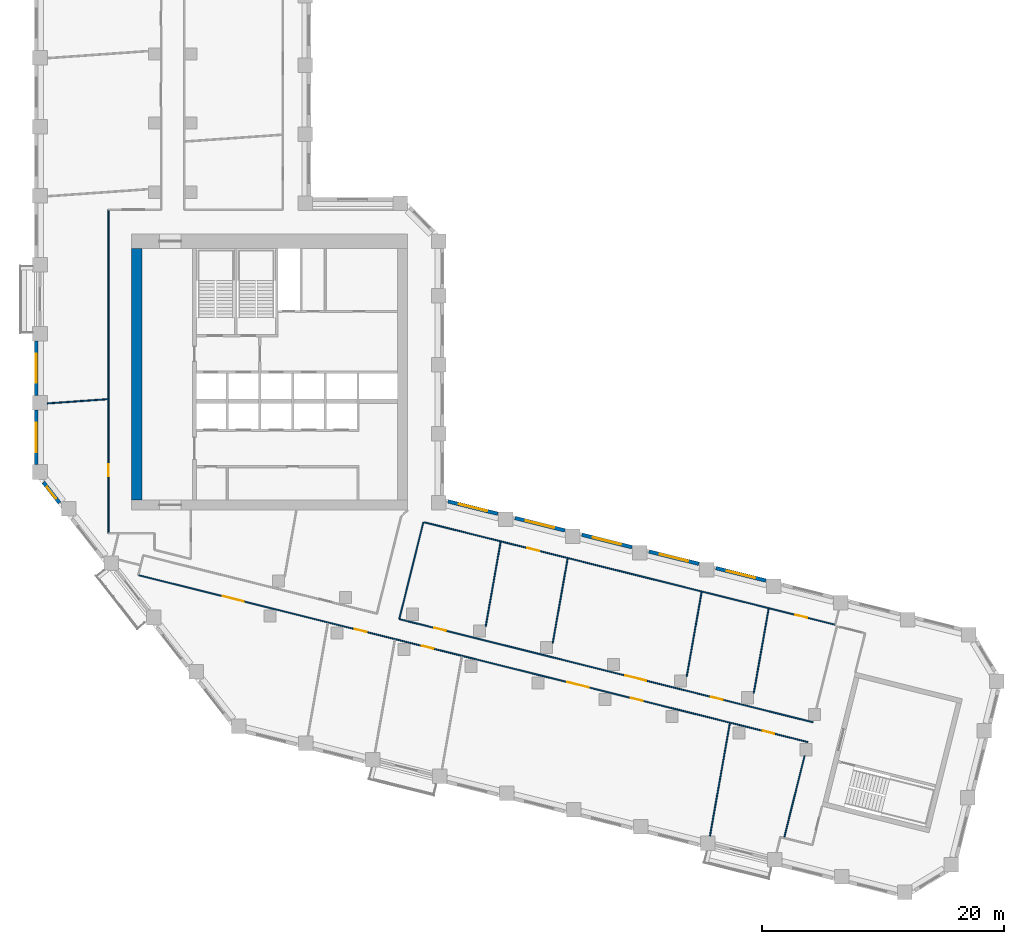
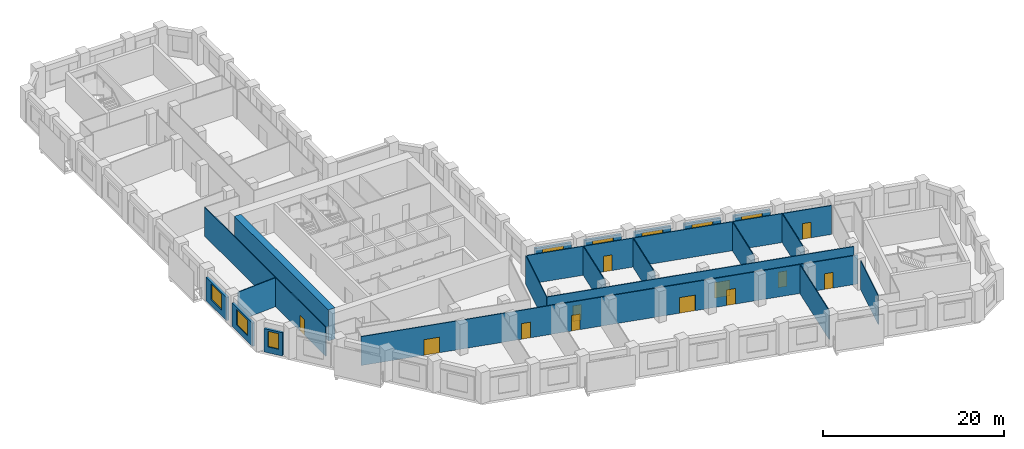
# One storey, part 4 of 10: 21 walls, 12 doors, 8 windows, 20 openings.
"""IFC4 building model written with IfcOpenShell, lengths in metres."""

from ifc_helpers import new_model, si_unit, direction, frame, frame_2d, origin, place, context, subcontext, project, spatial, rectangle, extrude, material, layer, layer_set, type_object, element, fill, save


model = new_model("IFC4")

# Units and contexts
model_context = context("Model", 3, precision=1e-05, world=origin(), true_north=direction((0.0, 1.0)))
body_context = subcontext(model_context, "Body", "Model", "MODEL_VIEW")
ifc_project = project(units=[si_unit("LENGTHUNIT", "METRE"), si_unit("AREAUNIT", "SQUARE_METRE"), si_unit("VOLUMEUNIT", "CUBIC_METRE"), si_unit("PLANEANGLEUNIT", "RADIAN"), si_unit("MASSUNIT", "GRAM", prefix="KILO")], contexts=[model_context])

# Site, building, storey
site_placement = place(None, origin())
site = spatial("IfcSite", under=ifc_project, at=site_placement, CompositionType="ELEMENT")
building_placement = place(site_placement, origin())
building = spatial("IfcBuilding", under=site, at=building_placement, Name="Meshkara Civic Tower", CompositionType="ELEMENT")
storey_placement = place(building_placement, frame((0.0, 0.0, 203.39990234375)))
storey = spatial("IfcBuildingStorey", under=building, at=storey_placement, Name="L46", CompositionType="ELEMENT", Elevation=203.39990234375)

# Wall
ifc_material_1 = material(Name="Concrete C70", Category="concrete")
ifc_layer_1 = layer(ifc_material_1, 0.85009765625)
ifc_layer_set_1 = layer_set([ifc_layer_1], Name="Core ring wall 850 C70")
wall_type_1 = type_object("IfcWallType", Name="Core ring wall 850 C70", PredefinedType="SHEAR", material=ifc_layer_set_1)
wall_1_placement = place(storey_placement, frame((8.425048828125, 14.949951171875, -0.2998046875), z_axis=(0.0, 0.0, 1.0), x_axis=(0.0, 1.0, 0.0)))
element("IfcWall", 1, at=wall_1_placement, inside=storey, type_object=wall_type_1, Name="L46-C003", PredefinedType="SHEAR", context=body_context, shape_type="SweptSolid", body=[
    extrude(rectangle(XDim=20.75, YDim=0.85009765625, at=frame_2d((10.375, 0.0))), origin(), (0.0, 0.0, 1.0), 4.199951171875),
])

# Wall, opening, door
ifc_material_2 = material(Name="Corridor wall 100")
ifc_layer_2 = layer(ifc_material_2, 0.10009765625)
ifc_layer_set_2 = layer_set([ifc_layer_2], Name="Corridor wall 100")
wall_type_2 = type_object("IfcWallType", Name="Corridor wall 100", PredefinedType="PARTITIONING", material=ifc_layer_set_2)
wall_2_placement = place(storey_placement, frame((6.10009765625, 38.89990234375, 0.0), z_axis=(0.0, 0.0, 1.0), x_axis=(0.0, -1.0, 0.0)))
wall_2 = element("IfcWall", 2, at=wall_2_placement, inside=storey, type_object=wall_type_2, Name="L46-W005", PredefinedType="PARTITIONING", context=body_context, shape_type="SweptSolid", body=[
    extrude(rectangle(XDim=26.699951171875, YDim=0.10009765625, at=frame_2d((13.35009765625, 0.0))), origin(), (0.0, 0.0, 1.0), 3.900146484375),
])
opening_1_placement = place(wall_2_placement, frame((21.010009765625, 0.0, 0.0)))
opening_1 = element("IfcOpeningElement", 3, at=opening_1_placement, cuts=wall_2, Name="Opening L46-D015", PredefinedType="OPENING", context=body_context, shape_type="SweptSolid", body=[
    extrude(rectangle(XDim=1.0, YDim=2.10009765625, at=frame_2d((0.5, 1.050048828125))), frame((0.0, 0.06005859375, 0.0), z_axis=(0.0, -1.0, 0.0), x_axis=(1.0, 0.0, 0.0)), (0.0, 0.0, 1.0), 0.1201171875),
])
ifc_material_3 = material(Name="Door 1000 x 2100")
door_type_1 = type_object("IfcDoorType", Name="Door 1000 x 2100", OperationType="SINGLE_SWING_LEFT", PredefinedType="DOOR", material=ifc_material_3)
door_1_placement = place(opening_1_placement, origin())
door_1 = element("IfcDoor", 4, at=door_1_placement, inside=storey, type_object=door_type_1, Name="L46-D015", OperationType="SINGLE_SWING_LEFT", OverallHeight=2.10009765625, OverallWidth=1.0, PredefinedType="DOOR", context=body_context, shape_type="SweptSolid", body=[
    extrude(rectangle(XDim=1.0, YDim=2.10009765625, at=frame_2d((0.5, 1.050048828125))), frame((0.0, 0.02490234375, 0.0), z_axis=(0.0, -1.0, 0.0), x_axis=(1.0, 0.0, 0.0)), (0.0, 0.0, 1.0), 0.050048828125),
])
fill(opening_1, door_1)

# Wall, openings, doors
wall_3_placement = place(storey_placement, frame((8.56494140625, 8.743896484375, 0.0), z_axis=(0.0, 0.0, 1.0), x_axis=(0.970297321886, -0.241915495869, 0.0)))
wall_3 = element("IfcWall", 5, at=wall_3_placement, inside=storey, type_object=wall_type_2, Name="L46-W006", PredefinedType="PARTITIONING", context=body_context, shape_type="SweptSolid", body=[
    extrude(rectangle(XDim=56.974365234375, YDim=0.10009765625, at=frame_2d((28.4873046875, 0.0))), origin(), (0.0, 0.0, 1.0), 3.900146484375),
])
opening_2_placement = place(wall_3_placement, frame((36.513916015625, 0.0, 0.0)))
opening_2 = element("IfcOpeningElement", 6, at=opening_2_placement, cuts=wall_3, Name="Opening L46-D002", PredefinedType="OPENING", context=body_context, shape_type="SweptSolid", body=[
    extrude(rectangle(XDim=1.800048828125, YDim=2.10009765625, at=frame_2d((0.89990234375, 1.050048828125))), frame((0.0, 0.06005859375, 0.0), z_axis=(0.0, -1.0, 0.0), x_axis=(1.0, 0.0, 0.0)), (0.0, 0.0, 1.0), 0.1201171875),
])
opening_3_placement = place(wall_3_placement, frame((41.9140625, 0.0, 0.0)))
opening_3 = element("IfcOpeningElement", 7, at=opening_3_placement, cuts=wall_3, Name="Opening L46-D003", PredefinedType="OPENING", context=body_context, shape_type="SweptSolid", body=[
    extrude(rectangle(XDim=1.0, YDim=2.10009765625, at=frame_2d((0.5, 1.050048828125))), frame((0.0, 0.06005859375, 0.0), z_axis=(0.0, -1.0, 0.0), x_axis=(1.0, 0.0, 0.0)), (0.0, 0.0, 1.0), 0.1201171875),
])
opening_4_placement = place(wall_3_placement, frame((53.113037109375, 0.0, 0.0)))
opening_4 = element("IfcOpeningElement", 8, at=opening_4_placement, cuts=wall_3, Name="Opening L46-D005", PredefinedType="OPENING", context=body_context, shape_type="SweptSolid", body=[
    extrude(rectangle(XDim=1.0, YDim=2.10009765625, at=frame_2d((0.5, 1.050048828125))), frame((0.0, 0.06005859375, 0.0), z_axis=(0.0, -1.0, 0.0), x_axis=(1.0, 0.0, 0.0)), (0.0, 0.0, 1.0), 0.1201171875),
])
opening_5_placement = place(wall_3_placement, frame((18.4130859375, 0.0, 0.0)))
opening_5 = element("IfcOpeningElement", 9, at=opening_5_placement, cuts=wall_3, Name="Opening L46-D006", PredefinedType="OPENING", context=body_context, shape_type="SweptSolid", body=[
    extrude(rectangle(XDim=1.0, YDim=2.10009765625, at=frame_2d((0.5, 1.050048828125))), frame((0.0, 0.06005859375, 0.0), z_axis=(0.0, -1.0, 0.0), x_axis=(1.0, 0.0, 0.0)), (0.0, 0.0, 1.0), 0.1201171875),
])
opening_6_placement = place(wall_3_placement, frame((24.114013671875, 0.0, 0.0)))
opening_6 = element("IfcOpeningElement", 10, at=opening_6_placement, cuts=wall_3, Name="Opening L46-D007", PredefinedType="OPENING", context=body_context, shape_type="SweptSolid", body=[
    extrude(rectangle(XDim=1.0, YDim=2.10009765625, at=frame_2d((0.5, 1.050048828125))), frame((0.0, 0.06005859375, 0.0), z_axis=(0.0, -1.0, 0.0), x_axis=(1.0, 0.0, 0.0)), (0.0, 0.0, 1.0), 0.1201171875),
])
opening_7_placement = place(wall_3_placement, frame((7.179931640625, 0.0, 0.0)))
opening_7 = element("IfcOpeningElement", 11, at=opening_7_placement, cuts=wall_3, Name="Opening L46-D012", PredefinedType="OPENING", context=body_context, shape_type="SweptSolid", body=[
    extrude(rectangle(XDim=1.800048828125, YDim=2.10009765625, at=frame_2d((0.89990234375, 1.050048828125))), frame((0.0, 0.06005859375, 0.0), z_axis=(0.0, -1.0, 0.0), x_axis=(1.0, 0.0, 0.0)), (0.0, 0.0, 1.0), 0.1201171875),
])
door_2_placement = place(opening_3_placement, origin())
door_2 = element("IfcDoor", 12, at=door_2_placement, inside=storey, type_object=door_type_1, Name="L46-D003", OperationType="SINGLE_SWING_LEFT", OverallHeight=2.10009765625, OverallWidth=1.0, PredefinedType="DOOR", context=body_context, shape_type="SweptSolid", body=[
    extrude(rectangle(XDim=1.0, YDim=2.10009765625, at=frame_2d((0.5, 1.050048828125))), frame((0.0, 0.02490234375, 0.0), z_axis=(0.0, -1.0, 0.0), x_axis=(1.0, 0.0, 0.0)), (0.0, 0.0, 1.0), 0.050048828125),
])
fill(opening_3, door_2)
door_3_placement = place(opening_4_placement, origin())
door_3 = element("IfcDoor", 13, at=door_3_placement, inside=storey, type_object=door_type_1, Name="L46-D005", OperationType="SINGLE_SWING_RIGHT", OverallHeight=2.10009765625, OverallWidth=1.0, PredefinedType="DOOR", context=body_context, shape_type="SweptSolid", body=[
    extrude(rectangle(XDim=1.0, YDim=2.10009765625, at=frame_2d((0.5, 1.050048828125))), frame((0.0, 0.02490234375, 0.0), z_axis=(0.0, -1.0, 0.0), x_axis=(1.0, 0.0, 0.0)), (0.0, 0.0, 1.0), 0.050048828125),
])
fill(opening_4, door_3)
door_4_placement = place(opening_5_placement, origin())
door_4 = element("IfcDoor", 14, at=door_4_placement, inside=storey, type_object=door_type_1, Name="L46-D006", OperationType="SINGLE_SWING_RIGHT", OverallHeight=2.10009765625, OverallWidth=1.0, PredefinedType="DOOR", context=body_context, shape_type="SweptSolid", body=[
    extrude(rectangle(XDim=1.0, YDim=2.10009765625, at=frame_2d((0.5, 1.050048828125))), frame((0.0, 0.02490234375, 0.0), z_axis=(0.0, -1.0, 0.0), x_axis=(1.0, 0.0, 0.0)), (0.0, 0.0, 1.0), 0.050048828125),
])
fill(opening_5, door_4)
door_5_placement = place(opening_6_placement, origin())
door_5 = element("IfcDoor", 15, at=door_5_placement, inside=storey, type_object=door_type_1, Name="L46-D007", OperationType="SINGLE_SWING_RIGHT", OverallHeight=2.10009765625, OverallWidth=1.0, PredefinedType="DOOR", context=body_context, shape_type="SweptSolid", body=[
    extrude(rectangle(XDim=1.0, YDim=2.10009765625, at=frame_2d((0.5, 1.050048828125))), frame((0.0, 0.02490234375, 0.0), z_axis=(0.0, -1.0, 0.0), x_axis=(1.0, 0.0, 0.0)), (0.0, 0.0, 1.0), 0.050048828125),
])
fill(opening_6, door_5)
ifc_material_4 = material(Name="Door pair 1800 x 2100")
door_type_2 = type_object("IfcDoorType", Name="Door pair 1800 x 2100", OperationType="SINGLE_SWING_LEFT", PredefinedType="DOOR", material=ifc_material_4)
door_6_placement = place(opening_2_placement, origin())
door_6 = element("IfcDoor", 16, at=door_6_placement, inside=storey, type_object=door_type_2, Name="L46-D002", OperationType="DOUBLE_DOOR_SINGLE_SWING", OverallHeight=2.10009765625, OverallWidth=1.800048828125, PredefinedType="DOOR", context=body_context, shape_type="SweptSolid", body=[
    extrude(rectangle(XDim=1.800048828125, YDim=2.10009765625, at=frame_2d((0.89990234375, 1.050048828125))), frame((0.0, 0.02490234375, 0.0), z_axis=(0.0, -1.0, 0.0), x_axis=(1.0, 0.0, 0.0)), (0.0, 0.0, 1.0), 0.050048828125),
])
fill(opening_2, door_6)
door_7_placement = place(opening_7_placement, origin())
door_7 = element("IfcDoor", 17, at=door_7_placement, inside=storey, type_object=door_type_2, Name="L46-D012", OperationType="DOUBLE_DOOR_SINGLE_SWING", OverallHeight=2.10009765625, OverallWidth=1.800048828125, PredefinedType="DOOR", context=body_context, shape_type="SweptSolid", body=[
    extrude(rectangle(XDim=1.800048828125, YDim=2.10009765625, at=frame_2d((0.89990234375, 1.050048828125))), frame((0.0, 0.02490234375, 0.0), z_axis=(0.0, -1.0, 0.0), x_axis=(1.0, 0.0, 0.0)), (0.0, 0.0, 1.0), 0.050048828125),
])
fill(opening_7, door_7)

wall_4_placement = place(storey_placement, frame((30.10498046875, 5.113037109375, 0.0), z_axis=(0.0, 0.0, 1.0), x_axis=(0.970293689353, -0.241930065106, 0.0)))
wall_4 = element("IfcWall", 18, at=wall_4_placement, inside=storey, type_object=wall_type_2, Name="L46-W022", PredefinedType="PARTITIONING", context=body_context, shape_type="SweptSolid", body=[
    extrude(rectangle(XDim=35.19677734375, YDim=0.10009765625, at=frame_2d((17.598388671875, 0.0))), origin(), (0.0, 0.0, 1.0), 3.900146484375),
])
opening_8_placement = place(wall_4_placement, frame((26.527099609375, 0.0, 0.0)))
opening_8 = element("IfcOpeningElement", 19, at=opening_8_placement, cuts=wall_4, Name="Opening L46-D004", PredefinedType="OPENING", context=body_context, shape_type="SweptSolid", body=[
    extrude(rectangle(XDim=1.0, YDim=2.10009765625, at=frame_2d((0.5, 1.050048828125))), frame((0.0, 0.06005859375, 0.0), z_axis=(0.0, -1.0, 0.0), x_axis=(1.0, 0.0, 0.0)), (0.0, 0.0, 1.0), 0.1201171875),
])
opening_9_placement = place(wall_4_placement, frame((2.97998046875, 0.0, 0.0)))
opening_9 = element("IfcOpeningElement", 20, at=opening_9_placement, cuts=wall_4, Name="Opening L46-D008", PredefinedType="OPENING", context=body_context, shape_type="SweptSolid", body=[
    extrude(rectangle(XDim=1.0, YDim=2.10009765625, at=frame_2d((0.5, 1.050048828125))), frame((0.0, 0.06005859375, 0.0), z_axis=(0.0, -1.0, 0.0), x_axis=(1.0, 0.0, 0.0)), (0.0, 0.0, 1.0), 0.1201171875),
])
opening_10_placement = place(wall_4_placement, frame((19.22705078125, 0.0, 0.0)))
opening_10 = element("IfcOpeningElement", 21, at=opening_10_placement, cuts=wall_4, Name="Opening L46-D009", PredefinedType="OPENING", context=body_context, shape_type="SweptSolid", body=[
    extrude(rectangle(XDim=1.800048828125, YDim=2.10009765625, at=frame_2d((0.89990234375, 1.050048828125))), frame((0.0, 0.06005859375, 0.0), z_axis=(0.0, -1.0, 0.0), x_axis=(1.0, 0.0, 0.0)), (0.0, 0.0, 1.0), 0.1201171875),
])
door_8_placement = place(opening_8_placement, origin())
door_8 = element("IfcDoor", 22, at=door_8_placement, inside=storey, type_object=door_type_1, Name="L46-D004", OperationType="SINGLE_SWING_LEFT", OverallHeight=2.10009765625, OverallWidth=1.0, PredefinedType="DOOR", context=body_context, shape_type="SweptSolid", body=[
    extrude(rectangle(XDim=1.0, YDim=2.10009765625, at=frame_2d((0.5, 1.050048828125))), frame((0.0, 0.02490234375, 0.0), z_axis=(0.0, -1.0, 0.0), x_axis=(1.0, 0.0, 0.0)), (0.0, 0.0, 1.0), 0.050048828125),
])
fill(opening_8, door_8)
door_9_placement = place(opening_9_placement, origin())
door_9 = element("IfcDoor", 23, at=door_9_placement, inside=storey, type_object=door_type_1, Name="L46-D008", OperationType="SINGLE_SWING_LEFT", OverallHeight=2.10009765625, OverallWidth=1.0, PredefinedType="DOOR", context=body_context, shape_type="SweptSolid", body=[
    extrude(rectangle(XDim=1.0, YDim=2.10009765625, at=frame_2d((0.5, 1.050048828125))), frame((0.0, 0.02490234375, 0.0), z_axis=(0.0, -1.0, 0.0), x_axis=(1.0, 0.0, 0.0)), (0.0, 0.0, 1.0), 0.050048828125),
])
fill(opening_9, door_9)
door_10_placement = place(opening_10_placement, origin())
door_10 = element("IfcDoor", 24, at=door_10_placement, inside=storey, type_object=door_type_2, Name="L46-D009", OperationType="DOUBLE_DOOR_SINGLE_SWING", OverallHeight=2.10009765625, OverallWidth=1.800048828125, PredefinedType="DOOR", context=body_context, shape_type="SweptSolid", body=[
    extrude(rectangle(XDim=1.800048828125, YDim=2.10009765625, at=frame_2d((0.89990234375, 1.050048828125))), frame((0.0, 0.02490234375, 0.0), z_axis=(0.0, -1.0, 0.0), x_axis=(1.0, 0.0, 0.0)), (0.0, 0.0, 1.0), 0.050048828125),
])
fill(opening_10, door_10)

# Wall
wall_5_placement = place(storey_placement, frame((30.10498046875, 5.113037109375, 0.0), z_axis=(0.0, 0.0, 1.0), x_axis=(0.241984285369, 0.970280168629, 0.0)))
element("IfcWall", 25, at=wall_5_placement, inside=storey, type_object=wall_type_2, Name="L46-W023", PredefinedType="PARTITIONING", context=body_context, shape_type="SweptSolid", body=[
    extrude(rectangle(XDim=8.231689453125, YDim=0.10009765625, at=frame_2d((4.11572265625, 0.0))), origin(), (0.0, 0.0, 1.0), 3.900146484375),
])

# Wall, openings, doors
wall_6_placement = place(storey_placement, frame((32.196044921875, 13.10009765625, 0.0), z_axis=(0.0, 0.0, 1.0), x_axis=(0.970294028693, -0.241928704129, 0.0)))
wall_6 = element("IfcWall", 26, at=wall_6_placement, inside=storey, type_object=wall_type_2, Name="L46-W026", PredefinedType="PARTITIONING", context=body_context, shape_type="SweptSolid", body=[
    extrude(rectangle(XDim=34.928466796875, YDim=0.10009765625, at=frame_2d((17.46435546875, 0.0))), origin(), (0.0, 0.0, 1.0), 3.900146484375),
])
opening_11_placement = place(wall_6_placement, frame((31.55810546875, 0.0, 0.0)))
opening_11 = element("IfcOpeningElement", 27, at=opening_11_placement, cuts=wall_6, Name="Opening L46-D010", PredefinedType="OPENING", context=body_context, shape_type="SweptSolid", body=[
    extrude(rectangle(XDim=1.0, YDim=2.10009765625, at=frame_2d((0.5, 1.050048828125))), frame((0.0, 0.06005859375, 0.0), z_axis=(0.0, -1.0, 0.0), x_axis=(1.0, 0.0, 0.0)), (0.0, 0.0, 1.0), 0.1201171875),
])
opening_12_placement = place(wall_6_placement, frame((8.757080078125, 0.0, 0.0)))
opening_12 = element("IfcOpeningElement", 28, at=opening_12_placement, cuts=wall_6, Name="Opening L46-D014", PredefinedType="OPENING", context=body_context, shape_type="SweptSolid", body=[
    extrude(rectangle(XDim=1.0, YDim=2.10009765625, at=frame_2d((0.5, 1.050048828125))), frame((0.0, 0.06005859375, 0.0), z_axis=(0.0, -1.0, 0.0), x_axis=(1.0, 0.0, 0.0)), (0.0, 0.0, 1.0), 0.1201171875),
])
door_11_placement = place(opening_11_placement, origin())
door_11 = element("IfcDoor", 29, at=door_11_placement, inside=storey, type_object=door_type_1, Name="L46-D010", OperationType="SINGLE_SWING_RIGHT", OverallHeight=2.10009765625, OverallWidth=1.0, PredefinedType="DOOR", context=body_context, shape_type="SweptSolid", body=[
    extrude(rectangle(XDim=1.0, YDim=2.10009765625, at=frame_2d((0.5, 1.050048828125))), frame((0.0, 0.02490234375, 0.0), z_axis=(0.0, -1.0, 0.0), x_axis=(1.0, 0.0, 0.0)), (0.0, 0.0, 1.0), 0.050048828125),
])
fill(opening_11, door_11)
door_12_placement = place(opening_12_placement, origin())
door_12 = element("IfcDoor", 30, at=door_12_placement, inside=storey, type_object=door_type_1, Name="L46-D014", OperationType="SINGLE_SWING_RIGHT", OverallHeight=2.10009765625, OverallWidth=1.0, PredefinedType="DOOR", context=body_context, shape_type="SweptSolid", body=[
    extrude(rectangle(XDim=1.0, YDim=2.10009765625, at=frame_2d((0.5, 1.050048828125))), frame((0.0, 0.02490234375, 0.0), z_axis=(0.0, -1.0, 0.0), x_axis=(1.0, 0.0, 0.0)), (0.0, 0.0, 1.0), 0.050048828125),
])
fill(opening_12, door_12)

# Wall
wall_7_placement = place(storey_placement, frame((63.56494140625, -6.1708984375, 0.0), z_axis=(0.0, 0.0, 1.0), x_axis=(-0.241919179606, -0.970296403445, 0.0)))
element("IfcWall", 31, at=wall_7_placement, inside=storey, type_object=wall_type_2, Name="L46-W028", PredefinedType="PARTITIONING", context=body_context, shape_type="SweptSolid", body=[
    extrude(rectangle(XDim=6.989501953125, YDim=0.10009765625, at=frame_2d((3.49462890625, 0.0))), origin(), (0.0, 0.0, 1.0), 3.900146484375),
])

# Wall, opening, window
ifc_material_5 = material(Name="Insulated infill panel with bronze anodised aluminium cladding", Category="aluminium")
ifc_layer_3 = layer(ifc_material_5, 0.300048828125)
ifc_layer_set_3 = layer_set([ifc_layer_3], Name="EXTERNAL INFILL WALL 300")
wall_type_3 = type_object("IfcWallType", Name="EXTERNAL INFILL WALL 300", PredefinedType="SOLIDWALL", material=ifc_layer_set_3)
wall_8_placement = place(storey_placement, frame((60.3701171875, 8.291015625, 0.0), z_axis=(0.0, 0.0, 1.0), x_axis=(-0.970291164166, 0.241940192487, 0.0)))
wall_8 = element("IfcWall", 32, at=wall_8_placement, inside=storey, type_object=wall_type_3, Name="External wall", PredefinedType="SOLIDWALL", context=body_context, shape_type="SweptSolid", body=[
    extrude(rectangle(XDim=4.245361328125, YDim=0.300048828125, at=frame_2d((2.12255859375, 0.0))), origin(), (0.0, 0.0, 1.0), 3.150146484375),
])
opening_13_placement = place(wall_8_placement, frame((0.922119140625, 0.0, 0.800048828125)))
opening_13 = element("IfcOpeningElement", 33, at=opening_13_placement, cuts=wall_8, Name="Opening W7", PredefinedType="OPENING", context=body_context, shape_type="SweptSolid", body=[
    extrude(rectangle(XDim=2.39990234375, YDim=2.10009765625, at=frame_2d((1.199951171875, 1.050048828125))), frame((0.0, 0.159912109375, 0.0), z_axis=(0.0, -1.0, 0.0), x_axis=(1.0, 0.0, 0.0)), (0.0, 0.0, 1.0), 0.320068359375),
])
ifc_material_6 = material(Name="Tinted double glazing", Category="glass")
window_type_1 = type_object("IfcWindowType", Name="WINDOW 2400x2100", PartitioningType="DOUBLE_PANEL_VERTICAL", PredefinedType="WINDOW", material=ifc_material_6)
window_1_placement = place(opening_13_placement, origin())
window_1 = element("IfcWindow", 34, at=window_1_placement, inside=storey, type_object=window_type_1, Name="Window", OverallHeight=2.10009765625, OverallWidth=2.39990234375, PartitioningType="DOUBLE_PANEL_VERTICAL", PredefinedType="WINDOW", context=body_context, shape_type="SweptSolid", body=[
    extrude(rectangle(XDim=2.39990234375, YDim=2.10009765625, at=frame_2d((1.199951171875, 1.050048828125))), frame((0.0, 0.030029296875, 0.0), z_axis=(0.0, -1.0, 0.0), x_axis=(1.0, 0.0, 0.0)), (0.0, 0.0, 1.0), 0.06005859375),
])
fill(opening_13, window_1)

wall_9_placement = place(storey_placement, frame((54.840087890625, 9.669921875, 0.0), z_axis=(0.0, 0.0, 1.0), x_axis=(-0.97030462482, 0.241886202691, 0.0)))
wall_9 = element("IfcWall", 35, at=wall_9_placement, inside=storey, type_object=wall_type_3, Name="External wall", PredefinedType="SOLIDWALL", context=body_context, shape_type="SweptSolid", body=[
    extrude(rectangle(XDim=4.24609375, YDim=0.300048828125, at=frame_2d((2.123046875, 0.0))), origin(), (0.0, 0.0, 1.0), 3.150146484375),
])
opening_14_placement = place(wall_9_placement, frame((0.923095703125, 0.0, 0.800048828125)))
opening_14 = element("IfcOpeningElement", 36, at=opening_14_placement, cuts=wall_9, Name="Opening W7", PredefinedType="OPENING", context=body_context, shape_type="SweptSolid", body=[
    extrude(rectangle(XDim=2.39990234375, YDim=2.10009765625, at=frame_2d((1.199951171875, 1.050048828125))), frame((0.0, 0.159912109375, 0.0), z_axis=(0.0, -1.0, 0.0), x_axis=(1.0, 0.0, 0.0)), (0.0, 0.0, 1.0), 0.320068359375),
])
window_2_placement = place(opening_14_placement, origin())
window_2 = element("IfcWindow", 37, at=window_2_placement, inside=storey, type_object=window_type_1, Name="Window", OverallHeight=2.10009765625, OverallWidth=2.39990234375, PartitioningType="DOUBLE_PANEL_VERTICAL", PredefinedType="WINDOW", context=body_context, shape_type="SweptSolid", body=[
    extrude(rectangle(XDim=2.39990234375, YDim=2.10009765625, at=frame_2d((1.199951171875, 1.050048828125))), frame((0.0, 0.030029296875, 0.0), z_axis=(0.0, -1.0, 0.0), x_axis=(1.0, 0.0, 0.0)), (0.0, 0.0, 1.0), 0.06005859375),
])
fill(opening_14, window_2)

wall_10_placement = place(storey_placement, frame((49.30908203125, 11.049072265625, 0.0), z_axis=(0.0, 0.0, 1.0), x_axis=(-0.970264129329, 0.242048588793, 0.0)))
wall_10 = element("IfcWall", 38, at=wall_10_placement, inside=storey, type_object=wall_type_3, Name="External wall", PredefinedType="SOLIDWALL", context=body_context, shape_type="SweptSolid", body=[
    extrude(rectangle(XDim=4.246337890625, YDim=0.300048828125, at=frame_2d((2.123046875, 0.0))), origin(), (0.0, 0.0, 1.0), 3.150146484375),
])
opening_15_placement = place(wall_10_placement, frame((0.923095703125, 0.0, 0.800048828125)))
opening_15 = element("IfcOpeningElement", 39, at=opening_15_placement, cuts=wall_10, Name="Opening W7", PredefinedType="OPENING", context=body_context, shape_type="SweptSolid", body=[
    extrude(rectangle(XDim=2.39990234375, YDim=2.10009765625, at=frame_2d((1.199951171875, 1.050048828125))), frame((0.0, 0.159912109375, 0.0), z_axis=(0.0, -1.0, 0.0), x_axis=(1.0, 0.0, 0.0)), (0.0, 0.0, 1.0), 0.320068359375),
])
window_3_placement = place(opening_15_placement, origin())
window_3 = element("IfcWindow", 40, at=window_3_placement, inside=storey, type_object=window_type_1, Name="Window", OverallHeight=2.10009765625, OverallWidth=2.39990234375, PartitioningType="DOUBLE_PANEL_VERTICAL", PredefinedType="WINDOW", context=body_context, shape_type="SweptSolid", body=[
    extrude(rectangle(XDim=2.39990234375, YDim=2.10009765625, at=frame_2d((1.199951171875, 1.050048828125))), frame((0.0, 0.030029296875, 0.0), z_axis=(0.0, -1.0, 0.0), x_axis=(1.0, 0.0, 0.0)), (0.0, 0.0, 1.0), 0.06005859375),
])
fill(opening_15, window_3)

wall_11_placement = place(storey_placement, frame((43.778076171875, 12.427978515625, 0.0), z_axis=(0.0, 0.0, 1.0), x_axis=(-0.970291164166, 0.241940192487, 0.0)))
wall_11 = element("IfcWall", 41, at=wall_11_placement, inside=storey, type_object=wall_type_3, Name="External wall", PredefinedType="SOLIDWALL", context=body_context, shape_type="SweptSolid", body=[
    extrude(rectangle(XDim=4.245361328125, YDim=0.300048828125, at=frame_2d((2.12255859375, 0.0))), origin(), (0.0, 0.0, 1.0), 3.150146484375),
])
opening_16_placement = place(wall_11_placement, frame((0.922119140625, 0.0, 0.800048828125)))
opening_16 = element("IfcOpeningElement", 42, at=opening_16_placement, cuts=wall_11, Name="Opening W7", PredefinedType="OPENING", context=body_context, shape_type="SweptSolid", body=[
    extrude(rectangle(XDim=2.39990234375, YDim=2.10009765625, at=frame_2d((1.199951171875, 1.050048828125))), frame((0.0, 0.159912109375, 0.0), z_axis=(0.0, -1.0, 0.0), x_axis=(1.0, 0.0, 0.0)), (0.0, 0.0, 1.0), 0.320068359375),
])
window_4_placement = place(opening_16_placement, origin())
window_4 = element("IfcWindow", 43, at=window_4_placement, inside=storey, type_object=window_type_1, Name="Window", OverallHeight=2.10009765625, OverallWidth=2.39990234375, PartitioningType="DOUBLE_PANEL_VERTICAL", PredefinedType="WINDOW", context=body_context, shape_type="SweptSolid", body=[
    extrude(rectangle(XDim=2.39990234375, YDim=2.10009765625, at=frame_2d((1.199951171875, 1.050048828125))), frame((0.0, 0.030029296875, 0.0), z_axis=(0.0, -1.0, 0.0), x_axis=(1.0, 0.0, 0.0)), (0.0, 0.0, 1.0), 0.06005859375),
])
fill(opening_16, window_4)

wall_12_placement = place(storey_placement, frame((38.248046875, 13.806884765625, 0.0), z_axis=(0.0, 0.0, 1.0), x_axis=(-0.970250625545, 0.242102712975, 0.0)))
wall_12 = element("IfcWall", 44, at=wall_12_placement, inside=storey, type_object=wall_type_3, Name="External wall", PredefinedType="SOLIDWALL", context=body_context, shape_type="SweptSolid", body=[
    extrude(rectangle(XDim=4.246337890625, YDim=0.300048828125, at=frame_2d((2.123046875, 0.0))), origin(), (0.0, 0.0, 1.0), 3.150146484375),
])
opening_17_placement = place(wall_12_placement, frame((0.923095703125, 0.0, 0.800048828125)))
opening_17 = element("IfcOpeningElement", 45, at=opening_17_placement, cuts=wall_12, Name="Opening W7", PredefinedType="OPENING", context=body_context, shape_type="SweptSolid", body=[
    extrude(rectangle(XDim=2.39990234375, YDim=2.10009765625, at=frame_2d((1.199951171875, 1.050048828125))), frame((0.0, 0.159912109375, 0.0), z_axis=(0.0, -1.0, 0.0), x_axis=(1.0, 0.0, 0.0)), (0.0, 0.0, 1.0), 0.320068359375),
])
window_5_placement = place(opening_17_placement, origin())
window_5 = element("IfcWindow", 46, at=window_5_placement, inside=storey, type_object=window_type_1, Name="Window", OverallHeight=2.10009765625, OverallWidth=2.39990234375, PartitioningType="DOUBLE_PANEL_VERTICAL", PredefinedType="WINDOW", context=body_context, shape_type="SweptSolid", body=[
    extrude(rectangle(XDim=2.39990234375, YDim=2.10009765625, at=frame_2d((1.199951171875, 1.050048828125))), frame((0.0, 0.030029296875, 0.0), z_axis=(0.0, -1.0, 0.0), x_axis=(1.0, 0.0, 0.0)), (0.0, 0.0, 1.0), 0.06005859375),
])
fill(opening_17, window_5)

wall_13_placement = place(storey_placement, frame((0.14990234375, 28.054931640625, 0.0), z_axis=(0.0, 0.0, 1.0), x_axis=(0.0, -1.0, 0.0)))
wall_13 = element("IfcWall", 47, at=wall_13_placement, inside=storey, type_object=wall_type_3, Name="External wall", PredefinedType="SOLIDWALL", context=body_context, shape_type="SweptSolid", body=[
    extrude(rectangle(XDim=4.5, YDim=0.300048828125, at=frame_2d((2.25, 0.0))), origin(), (0.0, 0.0, 1.0), 3.150146484375),
])
opening_18_placement = place(wall_13_placement, frame((1.050048828125, 0.0, 0.800048828125)))
opening_18 = element("IfcOpeningElement", 48, at=opening_18_placement, cuts=wall_13, Name="Opening W7", PredefinedType="OPENING", context=body_context, shape_type="SweptSolid", body=[
    extrude(rectangle(XDim=2.39990234375, YDim=2.10009765625, at=frame_2d((1.199951171875, 1.050048828125))), frame((0.0, 0.159912109375, 0.0), z_axis=(0.0, -1.0, 0.0), x_axis=(1.0, 0.0, 0.0)), (0.0, 0.0, 1.0), 0.320068359375),
])
window_6_placement = place(opening_18_placement, origin())
window_6 = element("IfcWindow", 49, at=window_6_placement, inside=storey, type_object=window_type_1, Name="Window", OverallHeight=2.10009765625, OverallWidth=2.39990234375, PartitioningType="DOUBLE_PANEL_VERTICAL", PredefinedType="WINDOW", context=body_context, shape_type="SweptSolid", body=[
    extrude(rectangle(XDim=2.39990234375, YDim=2.10009765625, at=frame_2d((1.199951171875, 1.050048828125))), frame((0.0, 0.030029296875, 0.0), z_axis=(0.0, -1.0, 0.0), x_axis=(1.0, 0.0, 0.0)), (0.0, 0.0, 1.0), 0.06005859375),
])
fill(opening_18, window_6)

wall_14_placement = place(storey_placement, frame((0.14990234375, 22.35498046875, 0.0), z_axis=(0.0, 0.0, 1.0), x_axis=(0.0, -1.0, 0.0)))
wall_14 = element("IfcWall", 50, at=wall_14_placement, inside=storey, type_object=wall_type_3, Name="External wall", PredefinedType="SOLIDWALL", context=body_context, shape_type="SweptSolid", body=[
    extrude(rectangle(XDim=4.5, YDim=0.300048828125, at=frame_2d((2.25, 0.0))), origin(), (0.0, 0.0, 1.0), 3.150146484375),
])
opening_19_placement = place(wall_14_placement, frame((1.050048828125, 0.0, 0.800048828125)))
opening_19 = element("IfcOpeningElement", 51, at=opening_19_placement, cuts=wall_14, Name="Opening W7", PredefinedType="OPENING", context=body_context, shape_type="SweptSolid", body=[
    extrude(rectangle(XDim=2.39990234375, YDim=2.10009765625, at=frame_2d((1.199951171875, 1.050048828125))), frame((0.0, 0.159912109375, 0.0), z_axis=(0.0, -1.0, 0.0), x_axis=(1.0, 0.0, 0.0)), (0.0, 0.0, 1.0), 0.320068359375),
])
window_7_placement = place(opening_19_placement, origin())
window_7 = element("IfcWindow", 52, at=window_7_placement, inside=storey, type_object=window_type_1, Name="Window", OverallHeight=2.10009765625, OverallWidth=2.39990234375, PartitioningType="DOUBLE_PANEL_VERTICAL", PredefinedType="WINDOW", context=body_context, shape_type="SweptSolid", body=[
    extrude(rectangle(XDim=2.39990234375, YDim=2.10009765625, at=frame_2d((1.199951171875, 1.050048828125))), frame((0.0, 0.030029296875, 0.0), z_axis=(0.0, -1.0, 0.0), x_axis=(1.0, 0.0, 0.0)), (0.0, 0.0, 1.0), 0.06005859375),
])
fill(opening_19, window_7)

wall_15_placement = place(storey_placement, frame((0.73193359375, 16.406982421875, 0.0), z_axis=(0.0, 0.0, 1.0), x_axis=(0.615593496459, -0.788063859797, 0.0)))
wall_15 = element("IfcWall", 53, at=wall_15_placement, inside=storey, type_object=wall_type_3, Name="External wall", PredefinedType="SOLIDWALL", context=body_context, shape_type="SweptSolid", body=[
    extrude(rectangle(XDim=2.156005859375, YDim=0.300048828125, at=frame_2d((1.078125, 0.0))), origin(), (0.0, 0.0, 1.0), 3.150146484375),
])
opening_20_placement = place(wall_15_placement, frame((0.47802734375, 0.0, 0.800048828125)))
opening_20 = element("IfcOpeningElement", 54, at=opening_20_placement, cuts=wall_15, Name="Opening W3", PredefinedType="OPENING", context=body_context, shape_type="SweptSolid", body=[
    extrude(rectangle(XDim=1.199951171875, YDim=2.10009765625, at=frame_2d((0.60009765625, 1.050048828125))), frame((0.0, 0.159912109375, 0.0), z_axis=(0.0, -1.0, 0.0), x_axis=(1.0, 0.0, 0.0)), (0.0, 0.0, 1.0), 0.320068359375),
])
ifc_material_7 = material(Name="Tinted double glazing", Category="glass")
window_type_2 = type_object("IfcWindowType", Name="WINDOW 1200x2100", PartitioningType="SINGLE_PANEL", PredefinedType="WINDOW", material=ifc_material_7)
window_8_placement = place(opening_20_placement, origin())
window_8 = element("IfcWindow", 55, at=window_8_placement, inside=storey, type_object=window_type_2, Name="Window", OverallHeight=2.10009765625, OverallWidth=1.199951171875, PartitioningType="SINGLE_PANEL", PredefinedType="WINDOW", context=body_context, shape_type="SweptSolid", body=[
    extrude(rectangle(XDim=1.199951171875, YDim=2.10009765625, at=frame_2d((0.60009765625, 1.050048828125))), frame((0.0, 0.030029296875, 0.0), z_axis=(0.0, -1.0, 0.0), x_axis=(1.0, 0.0, 0.0)), (0.0, 0.0, 1.0), 0.06005859375),
])
fill(opening_20, window_8)

# Walls
ifc_material_8 = material(Name="Partition 100")
ifc_layer_4 = layer(ifc_material_8, 0.10009765625)
ifc_layer_set_4 = layer_set([ifc_layer_4], Name="Partition 100")
wall_type_4 = type_object("IfcWallType", Name="Partition 100", PredefinedType="PARTITIONING", material=ifc_layer_set_4)
wall_16_placement = place(storey_placement, frame((6.047119140625, 23.26611328125, 0.0), z_axis=(0.0, 0.0, 1.0), x_axis=(-0.99755475556, -0.069889267123, 0.0)))
element("IfcWall", 56, at=wall_16_placement, inside=storey, type_object=wall_type_4, Name="L46-W036", PredefinedType="PARTITIONING", context=body_context, shape_type="SweptSolid", body=[
    extrude(rectangle(XDim=5.00927734375, YDim=0.10009765625, at=frame_2d((2.504638671875, 0.0))), origin(), (0.0, 0.0, 1.0), 3.900146484375),
])
wall_17_placement = place(storey_placement, frame((37.241943359375, 4.506103515625, 0.0), z_axis=(0.0, 0.0, 1.0), x_axis=(0.173688962869, 0.98480056061, 0.0)))
element("IfcWall", 57, at=wall_17_placement, inside=storey, type_object=wall_type_4, Name="L46-W047", PredefinedType="PARTITIONING", context=body_context, shape_type="SweptSolid", body=[
    extrude(rectangle(XDim=7.08154296875, YDim=0.10009765625, at=frame_2d((3.540771484375, 0.0))), origin(), (0.0, 0.0, 1.0), 3.900146484375),
])
wall_18_placement = place(storey_placement, frame((42.77197265625, 3.12109375, 0.0), z_axis=(0.0, 0.0, 1.0), x_axis=(0.173675291482, 0.98480297173, 0.0)))
element("IfcWall", 58, at=wall_18_placement, inside=storey, type_object=wall_type_4, Name="L46-W048", PredefinedType="PARTITIONING", context=body_context, shape_type="SweptSolid", body=[
    extrude(rectangle(XDim=7.087646484375, YDim=0.10009765625, at=frame_2d((3.5439453125, 0.0))), origin(), (0.0, 0.0, 1.0), 3.900146484375),
])
wall_19_placement = place(storey_placement, frame((53.833984375, 0.368896484375, 0.0), z_axis=(0.0, 0.0, 1.0), x_axis=(0.173683066019, 0.984801600617, 0.0)))
element("IfcWall", 59, at=wall_19_placement, inside=storey, type_object=wall_type_4, Name="L46-W049", PredefinedType="PARTITIONING", context=body_context, shape_type="SweptSolid", body=[
    extrude(rectangle(XDim=7.081787109375, YDim=0.10009765625, at=frame_2d((3.541015625, 0.0))), origin(), (0.0, 0.0, 1.0), 3.900146484375),
])
wall_20_placement = place(storey_placement, frame((55.7529296875, -12.7900390625, 0.0), z_axis=(0.0, 0.0, 1.0), x_axis=(0.17370720156, 0.984797343684, 0.0)))
element("IfcWall", 60, at=wall_20_placement, inside=storey, type_object=wall_type_4, Name="L46-W050", PredefinedType="PARTITIONING", context=body_context, shape_type="SweptSolid", body=[
    extrude(rectangle(XDim=9.447509765625, YDim=0.10009765625, at=frame_2d((4.7236328125, 0.0))), origin(), (0.0, 0.0, 1.0), 3.900146484375),
])
wall_21_placement = place(storey_placement, frame((59.364013671875, -1.01611328125, 0.0), z_axis=(0.0, 0.0, 1.0), x_axis=(0.173669400223, 0.984804010667, 0.0)))
element("IfcWall", 61, at=wall_21_placement, inside=storey, type_object=wall_type_4, Name="L46-W051", PredefinedType="PARTITIONING", context=body_context, shape_type="SweptSolid", body=[
    extrude(rectangle(XDim=7.087890625, YDim=0.10009765625, at=frame_2d((3.5439453125, 0.0))), origin(), (0.0, 0.0, 1.0), 3.900146484375),
])

save(model, "model.ifc")
